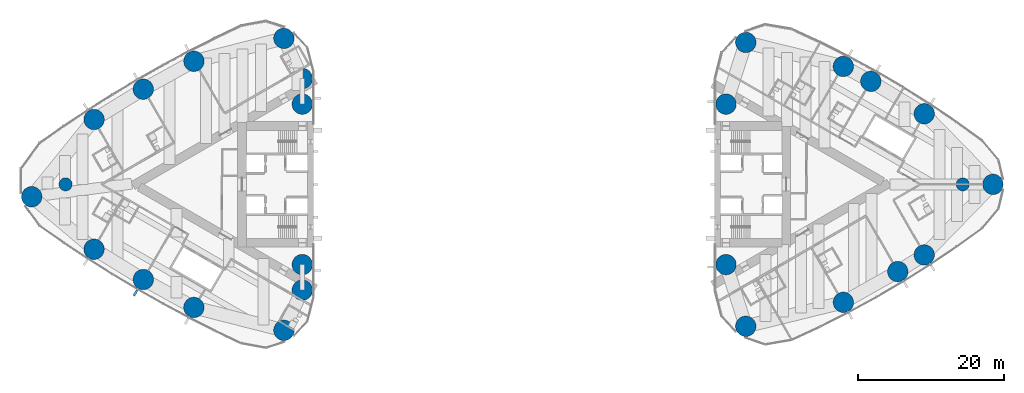
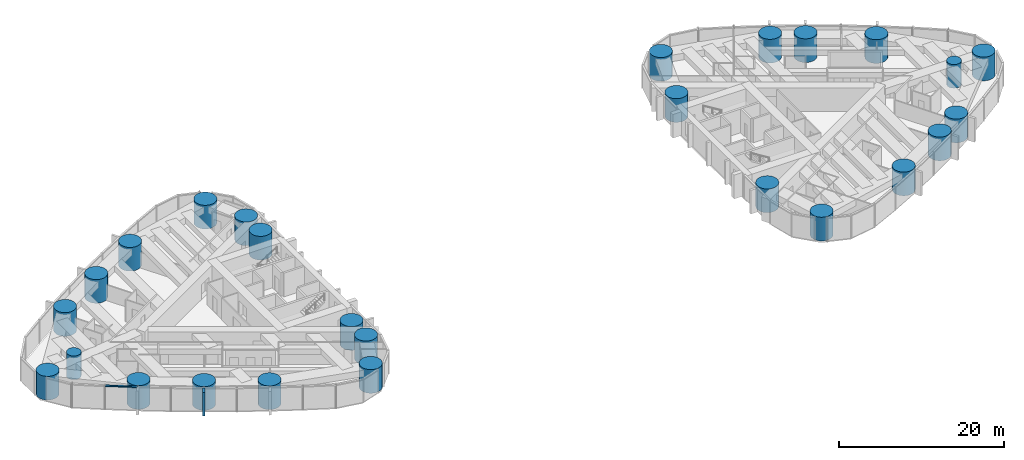
# One storey, part 1 of 19: 26 columns, 2 members, 1 element without a shape of its own.
"""IFC4 building model written with IfcOpenShell, lengths in metres."""

from ifc_helpers import new_model, si_unit, direction, frame, origin, origin_2d, place, context, subcontext, project, spatial, rectangle, circle, extrude, material, material_profile, profile_set, type_object, element, aggregate, save


model = new_model("IFC4")

# Units and contexts
model_context = context("Model", 3, precision=1e-05, world=origin(), true_north=direction((0.0, 1.0)))
body_context = subcontext(model_context, "Body", "Model", "MODEL_VIEW")
ifc_project = project(units=[si_unit("LENGTHUNIT", "METRE"), si_unit("AREAUNIT", "SQUARE_METRE"), si_unit("VOLUMEUNIT", "CUBIC_METRE"), si_unit("PLANEANGLEUNIT", "RADIAN"), si_unit("MASSUNIT", "GRAM", prefix="KILO")], contexts=[model_context])

# Site, building, storey
site_placement = place(None, origin())
site = spatial("IfcSite", under=ifc_project, at=site_placement, CompositionType="ELEMENT")
building_placement = place(site_placement, origin())
building = spatial("IfcBuilding", under=site, at=building_placement, Name="Lancet Gate Hotel", CompositionType="ELEMENT")
storey_placement = place(building_placement, frame((0.0, 0.0, 184.300048828125)))
storey = spatial("IfcBuildingStorey", under=building, at=storey_placement, Name="L49", CompositionType="ELEMENT", Elevation=184.300048828125)

# Columns
ifc_material_1 = material(Name="Concrete C60/75", Category="concrete")
ifc_material_profile_1 = material_profile(ifc_material_1, circle(Radius=0.89990234375, at=origin_2d()), Name="RC D1800")
ifc_profile_set_1 = profile_set([ifc_material_profile_1], Name="Concrete C60/75")
column_type_1 = type_object("IfcColumnType", Name="Apex column RC D1800", PredefinedType="COLUMN", material=ifc_profile_set_1)
for number, where, z_axis, x_axis, name in (
    (1, (-61.5, 0.0, 0.0), (0.0, 0.0, 1.0), (1.0, 0.0, 0.0), "T1 column AX L49"),
    (2, (61.5, 0.0, 0.0), (0.0, 0.0, 1.0), (1.0, 0.0, 0.0), "T2 column AX L49"),
):
    element("IfcColumn", number, at=place(storey_placement, frame(where, z_axis=z_axis, x_axis=x_axis)), inside=storey, type_object=column_type_1, Name=name, PredefinedType="COLUMN", context=body_context, shape_type="SweptSolid", body=[
        extrude(circle(Radius=0.89990234375, at=origin_2d()), origin(), (0.0, 0.0, 1.0), 3.5),
    ])
ifc_material_2 = material(Name="Concrete C60/75", Category="concrete")
ifc_material_profile_2 = material_profile(ifc_material_2, circle(Radius=1.39990234375, at=origin_2d()), Name="RC D2800")
ifc_profile_set_2 = profile_set([ifc_material_profile_2], Name="Concrete C60/75")
column_type_2 = type_object("IfcColumnType", Name="Perimeter column RC D2800", PredefinedType="COLUMN", material=ifc_profile_set_2)
for number, where, z_axis, x_axis, name in (
    (3, (-66.142578125, -1.6953125, 0.0), (0.0, 0.0, 1.0), (1.0, 0.0, 0.0), "T1 column CA L49"),
    (4, (-31.5654296875, -20.015869140625, 0.0), (0.0, 0.0, 1.0), (1.0, 0.0, 0.0), "T1 column CN L49"),
    (5, (-31.5654296875, 20.015869140625, 0.0), (0.0, 0.0, 1.0), (1.0, 0.0, 0.0), "T1 column CS L49"),
    (6, (-29.050048828125, -11.0, 0.0), (0.0, 0.0, 1.0), (1.0, 0.0, 0.0), "T1 column IN L49"),
    (7, (-29.050048828125, 11.0, 0.0), (0.0, 0.0, 1.0), (1.0, 0.0, 0.0), "T1 column IS L49"),
    (8, (-29.050048828125, 14.5, 0.0), (0.0, 0.0, 1.0), (1.0, 0.0, 0.0), "T1 column IT L49"),
    (9, (-29.050048828125, -14.5, 0.0), (0.0, 0.0, 1.0), (1.0, 0.0, 0.0), "T1 column JT L49"),
    (10, (-57.589599609375, -8.89306640625, 0.0), (0.0, 0.0, 1.0), (1.0, 0.0, 0.0), "T1 column ON1 L49"),
    (11, (-50.8388671875, -13.043212890625, 0.0), (0.0, 0.0, 1.0), (1.0, 0.0, 0.0), "T1 column ON2 L49"),
    (12, (-43.900390625, -16.871337890625, 0.0), (0.0, 0.0, 1.0), (1.0, 0.0, 0.0), "T1 column ON3 L49"),
    (13, (-43.900390625, 16.871337890625, 0.0), (0.0, 0.0, 1.0), (1.0, 0.0, 0.0), "T1 column OS1 L49"),
    (14, (-50.8388671875, 13.043212890625, 0.0), (0.0, 0.0, 1.0), (1.0, 0.0, 0.0), "T1 column OS2 L49"),
    (15, (-57.589599609375, 8.89306640625, 0.0), (0.0, 0.0, 1.0), (1.0, 0.0, 0.0), "T1 column OS3 L49"),
    (16, (65.6396484375, 0.0, 0.0), (0.0, 0.0, 1.0), (1.0, 0.0, 0.0), "T2 column CA L49"),
    (17, (31.759765625, 19.455810546875, 0.0), (0.0, 0.0, 1.0), (1.0, 0.0, 0.0), "T2 column CN L49"),
    (18, (31.759765625, -19.455810546875, 0.0), (0.0, 0.0, 1.0), (1.0, 0.0, 0.0), "T2 column CS L49"),
    (19, (29.050048828125, 11.0, 0.0), (0.0, 0.0, 1.0), (1.0, 0.0, 0.0), "T2 column IN L49"),
    (20, (29.050048828125, -11.0, 0.0), (0.0, 0.0, 1.0), (1.0, 0.0, 0.0), "T2 column IS L49"),
    (21, (56.220947265625, 9.67236328125, 0.0), (0.0, 0.0, 1.0), (1.0, 0.0, 0.0), "T2 column ON1 L49"),
    (22, (48.8974609375, 14.12060546875, 0.0), (0.0, 0.0, 1.0), (1.0, 0.0, 0.0), "T2 column ON2 L49"),
    (23, (45.133544921875, 16.16845703125, 0.0), (0.0, 0.0, 1.0), (1.0, 0.0, 0.0), "T2 column ON3 L49"),
    (24, (45.133544921875, -16.16845703125, 0.0), (0.0, 0.0, 1.0), (1.0, 0.0, 0.0), "T2 column OS1 L49"),
    (25, (52.594482421875, -11.95458984375, 0.0), (0.0, 0.0, 1.0), (1.0, 0.0, 0.0), "T2 column OS2 L49"),
    (26, (56.220947265625, -9.67236328125, 0.0), (0.0, 0.0, 1.0), (1.0, 0.0, 0.0), "T2 column OS3 L49"),
):
    element("IfcColumn", number, at=place(storey_placement, frame(where, z_axis=z_axis, x_axis=x_axis)), inside=storey, type_object=column_type_2, Name=name, PredefinedType="COLUMN", context=body_context, shape_type="SweptSolid", body=[
        extrude(circle(Radius=1.39990234375, at=origin_2d()), origin(), (0.0, 0.0, 1.0), 3.5),
    ])

# Curtain wall, members
ifc_material_3 = material(Name="Aluminium curtain wall", Category="aluminium")
curtain_wall_type = type_object("IfcCurtainWallType", Name="Tower unitised curtain wall", PredefinedType="USERDEFINED", material=ifc_material_3)
curtain_wall_placement = place(storey_placement, origin())
curtain_wall = element("IfcCurtainWall", 27, at=curtain_wall_placement, inside=storey, type_object=curtain_wall_type, Name="T1 L49 curtain wall 3", ObjectType="UNITISED CURTAIN WALL", PredefinedType="USERDEFINED")
ifc_material_4 = material(Name="Aluminium transom", Category="aluminium")
ifc_material_profile_3 = material_profile(ifc_material_4, rectangle(XDim=0.25, YDim=0.14990234375, at=origin_2d()), Name="TRANSOM 250x150")
ifc_profile_set_3 = profile_set([ifc_material_profile_3], Name="Aluminium transom")
member_type_1 = type_object("IfcMemberType", Name="Aluminium transom 250x150", PredefinedType="USERDEFINED", material=ifc_profile_set_3)
member_1_placement = place(storey_placement, frame((-61.735595703125, -7.998779296875, 3.425048828125), z_axis=(0.832870509189, -0.553467898729, 0.0), x_axis=(0.553467898729, 0.832870509189, 0.0)))
member_1 = element("IfcMember", 28, at=member_1_placement, type_object=member_type_1, Name="T1 L49 curtain wall 3 transom 3", ObjectType="TRANSOM", PredefinedType="USERDEFINED", context=body_context, shape_type="SweptSolid", body=[
    extrude(rectangle(XDim=0.25, YDim=0.14990234375, at=origin_2d()), origin(), (0.0, 0.0, 1.0), 3.933837890625),
])
ifc_material_5 = material(Name="Precast concrete C50/60", Category="concrete")
ifc_material_profile_4 = material_profile(ifc_material_5, rectangle(XDim=0.300048828125, YDim=0.89990234375, at=origin_2d()), Name="FIN 300x900")
ifc_profile_set_4 = profile_set([ifc_material_profile_4], Name="Precast concrete C50/60")
member_type_2 = type_object("IfcMemberType", Name="Exposed concrete fin 300x900", PredefinedType="USERDEFINED", material=ifc_profile_set_4)
member_2_placement = place(storey_placement, frame((-51.908935546875, -14.879150390625, 0.0), z_axis=(0.0, 0.0, 1.0), x_axis=(0.863968774311, -0.503545387245, 0.0)))
member_2 = element("IfcMember", 29, at=member_2_placement, type_object=member_type_2, Name="T1 L49 curtain wall 3 fin 6", ObjectType="FIN", PredefinedType="USERDEFINED", context=body_context, shape_type="SweptSolid", body=[
    extrude(rectangle(XDim=0.300048828125, YDim=0.89990234375, at=origin_2d()), origin(), (0.0, 0.0, 1.0), 3.5),
])
aggregate(curtain_wall, [member_2, member_1])

save(model, "model.ifc")
